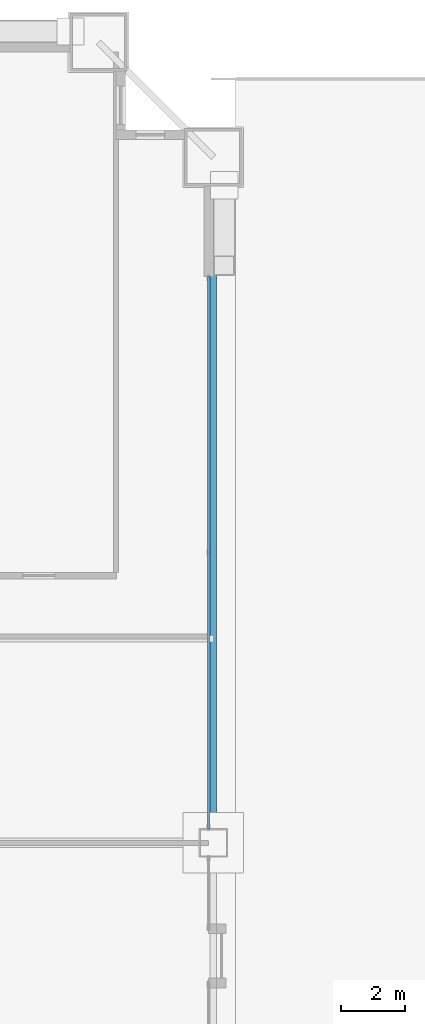
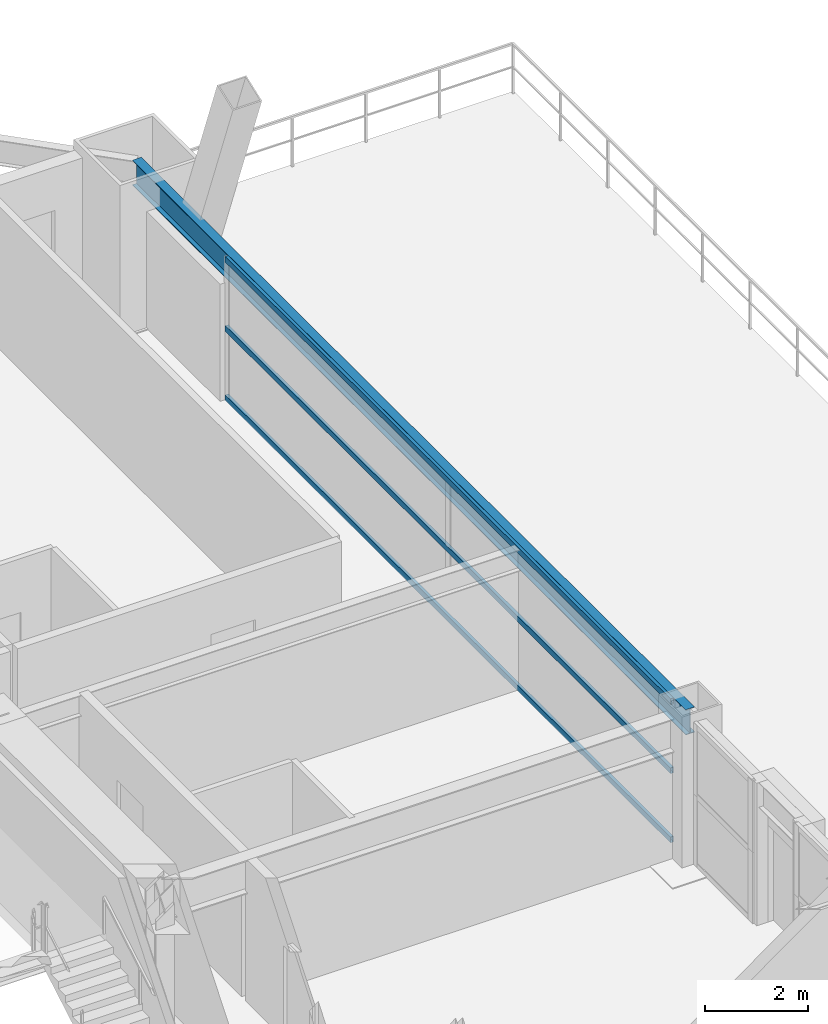
# One storey, part 32 of 45: 3 members, 1 beam, 1 element without a shape of its own.
"""IFC4 building model written with IfcOpenShell, lengths in metres."""

from ifc_helpers import new_model, si_unit, direction, frame, origin, origin_2d, place, context, subcontext, project, spatial, hollow_rectangle, i_section, extrude, source, transform, mapped, material, layer, layer_set, material_profile, profile_set, type_object, element, aggregate, save


model = new_model("IFC4")

# Units and contexts
model_context = context("Model", 3, precision=1e-05, world=origin(), true_north=direction((0.0, 1.0)))
body_context = subcontext(model_context, "Body", "Model", "MODEL_VIEW")
ifc_project = project(units=[si_unit("LENGTHUNIT", "METRE"), si_unit("AREAUNIT", "SQUARE_METRE"), si_unit("VOLUMEUNIT", "CUBIC_METRE"), si_unit("PLANEANGLEUNIT", "RADIAN"), si_unit("MASSUNIT", "GRAM", prefix="KILO"), si_unit("THERMODYNAMICTEMPERATUREUNIT", "KELVIN"), si_unit("POWERUNIT", "WATT")], contexts=[model_context])

# Site, building, storey
site_placement = place(None, origin())
site = spatial("IfcSite", under=ifc_project, at=site_placement, CompositionType="ELEMENT")
building_placement = place(site_placement, origin())
building = spatial("IfcBuilding", under=site, at=building_placement, Name="Yuzanri Waterfront Tower", CompositionType="ELEMENT")
storey_placement = place(building_placement, frame((0.0, 0.0, 30.60009765625)))
storey = spatial("IfcBuildingStorey", under=building, at=storey_placement, Name="L07", CompositionType="ELEMENT", Elevation=30.60009765625)

# Beam
ifc_material_1 = material(Name="Steel Q355B", Category="steel")
ifc_material_profile_1 = material_profile(ifc_material_1, i_section(OverallWidth=0.199951171875, OverallDepth=0.60009765625, WebThickness=0.010986328125, FlangeThickness=0.01708984375, at=origin_2d()), Name="HN 600x200x11x17")
ifc_profile_set_1 = profile_set([ifc_material_profile_1], Name="Steel Q355B")
beam_type = type_object("IfcBeamType", Name="Perimeter Spandrel Q355B HN 600x200", PredefinedType="SPANDREL", material=ifc_profile_set_1)
shared_shape_1 = source(origin(), body_context, "Body", "SweptSolid", [
    extrude(i_section(OverallWidth=0.199951171875, OverallDepth=0.60009765625, WebThickness=0.010986328125, FlangeThickness=0.01708984375, at=origin_2d()), origin(), (0.0, 0.0, 1.0), 21.5),
])
beam_placement = place(storey_placement, frame((62.10009765625, 25.800048828125, 3.079833984375), z_axis=(0.0, 1.0, 0.0), x_axis=(-1.0, 0.0, 0.0)))
element("IfcBeam", 1, at=beam_placement, inside=storey, type_object=beam_type, Name="L07 Perimeter Spandrel E2-E3", PredefinedType="SPANDREL", context=body_context, shape_type="MappedRepresentation", body=[
    mapped(shared_shape_1, transform((0.0, 0.0, 0.0), scale=1.0)),
])

# Curtain wall, members
ifc_material_2 = material(Name="Anodized Architectural Bronze", Category="metal")
ifc_layer = layer(ifc_material_2, 0.159912109375)
ifc_layer_set = layer_set([ifc_layer], Name="Anodized Architectural Bronze")
curtain_wall_type = type_object("IfcCurtainWallType", Name="Anodized Bronze Hotel Lower-Tier Recessed Unitized Curtain Wall 8100", PredefinedType="NOTDEFINED", material=ifc_layer_set)
curtain_wall_placement = place(storey_placement, origin())
curtain_wall = element("IfcCurtainWall", 2, at=curtain_wall_placement, inside=storey, type_object=curtain_wall_type, Name="L07 Curtain Wall CW-L07-ER", PredefinedType="NOTDEFINED")
ifc_material_3 = material(Name="Anodized Architectural Bronze", Category="metal")
ifc_material_profile_2 = material_profile(ifc_material_3, hollow_rectangle(XDim=0.070068359375, YDim=0.135009765625, WallThickness=0.00341796875, at=origin_2d()), Name="CWT 70x135")
ifc_profile_set_2 = profile_set([ifc_material_profile_2], Name="Anodized Architectural Bronze")
member_type = type_object("IfcMemberType", Name="Anodized Bronze Standard Curtain-Wall Transom 70x135", PredefinedType="USERDEFINED", material=ifc_profile_set_2)
shared_shape_2 = source(origin(), body_context, "Body", "SweptSolid", [
    extrude(hollow_rectangle(XDim=0.070068359375, YDim=0.135009765625, WallThickness=0.00341796875, at=origin_2d()), origin(), (0.0, 0.0, 1.0), 17.300048828125),
])
member_1_placement = place(storey_placement, frame((61.949951171875, 26.25, 0.0498046875), z_axis=(0.0, 1.0, 0.0), x_axis=(-1.0, 0.0, 0.0)))
member_1 = element("IfcMember", 3, at=member_1_placement, type_object=member_type, Name="CW-L07-ER Transom 1", ObjectType="TRANSOM", PredefinedType="USERDEFINED", context=body_context, shape_type="MappedRepresentation", body=[
    mapped(shared_shape_2, transform((0.0, 0.0, 0.0), scale=1.0)),
])
member_2_placement = place(storey_placement, frame((61.949951171875, 26.25, 1.68994140625), z_axis=(0.0, 1.0, 0.0), x_axis=(-1.0, 0.0, 0.0)))
member_2 = element("IfcMember", 4, at=member_2_placement, type_object=member_type, Name="CW-L07-ER Transom 2", ObjectType="TRANSOM", PredefinedType="USERDEFINED", context=body_context, shape_type="MappedRepresentation", body=[
    mapped(shared_shape_2, transform((0.0, 0.0, 0.0), scale=1.0)),
])
member_3_placement = place(storey_placement, frame((61.949951171875, 26.25, 3.329833984375), z_axis=(0.0, 1.0, 0.0), x_axis=(-1.0, 0.0, 0.0)))
member_3 = element("IfcMember", 5, at=member_3_placement, type_object=member_type, Name="CW-L07-ER Transom 3", ObjectType="TRANSOM", PredefinedType="USERDEFINED", context=body_context, shape_type="MappedRepresentation", body=[
    mapped(shared_shape_2, transform((0.0, 0.0, 0.0), scale=1.0)),
])
aggregate(curtain_wall, [member_1, member_2, member_3])

save(model, "model.ifc")
